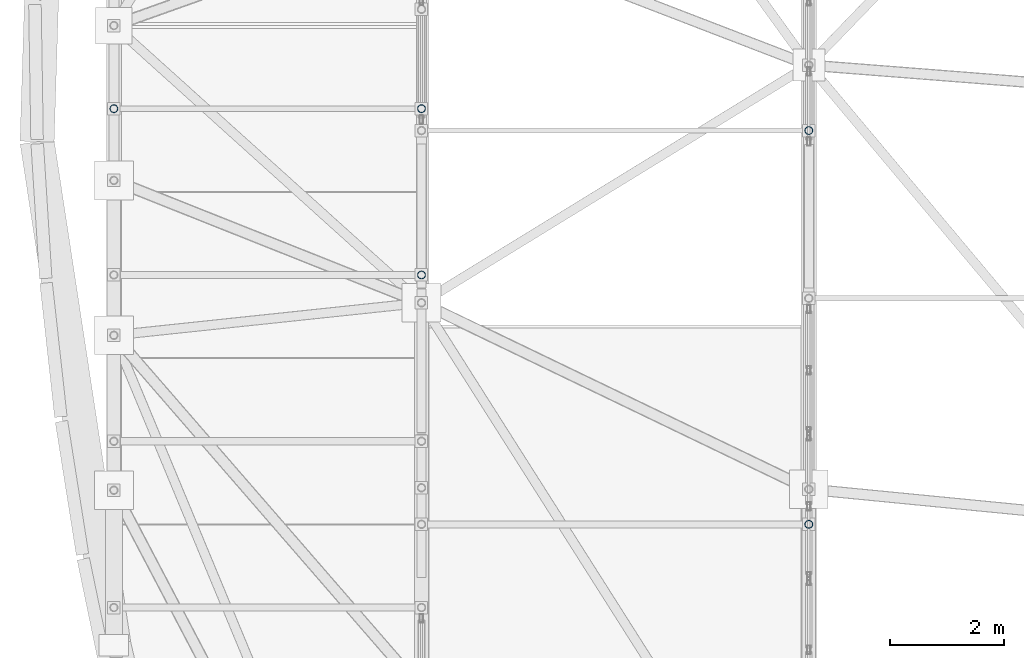
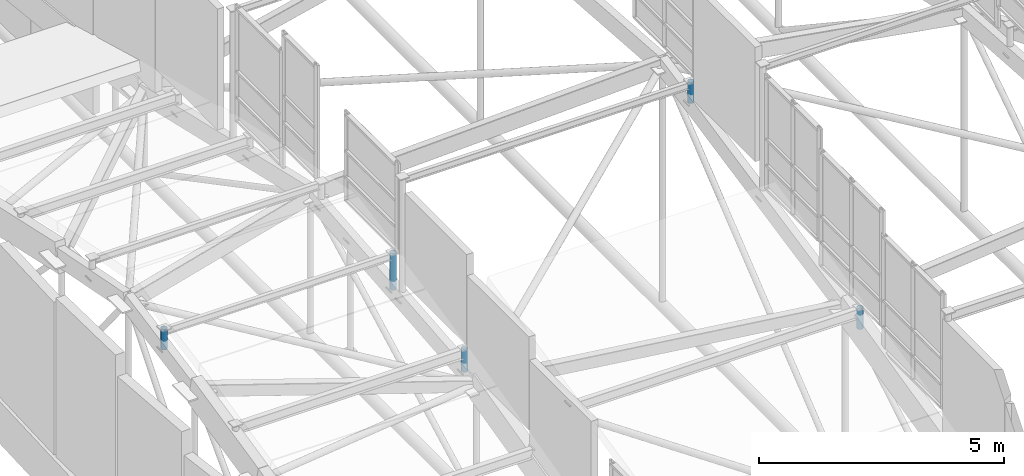
# One storey, part 130 of 188: 5 members.
"""IFC4 building model written with IfcOpenShell, lengths in metres."""

from ifc_helpers import new_model, si_unit, direction, frame, origin, origin_2d, place, context, subcontext, project, spatial, hollow_circle, extrude, material, material_profile, profile_set, type_object, element, save


model = new_model("IFC4")

# Units and contexts
model_context = context("Model", 3, precision=1e-05, world=origin(), true_north=direction((0.0, 1.0)))
body_context = subcontext(model_context, "Body", "Model", "MODEL_VIEW")
ifc_project = project(units=[si_unit("LENGTHUNIT", "METRE"), si_unit("AREAUNIT", "SQUARE_METRE"), si_unit("VOLUMEUNIT", "CUBIC_METRE"), si_unit("PLANEANGLEUNIT", "RADIAN"), si_unit("MASSUNIT", "GRAM", prefix="KILO")], contexts=[model_context])

# Site, building, storey
site_placement = place(None, origin())
site = spatial("IfcSite", under=ifc_project, at=site_placement, CompositionType="ELEMENT")
building_placement = place(site_placement, origin())
building = spatial("IfcBuilding", under=site, at=building_placement, Name="Kisaragi Civic Commons", CompositionType="ELEMENT")
storey_placement = place(building_placement, frame((0.0, 0.0, 9.60009765625)))
storey = spatial("IfcBuildingStorey", under=building, at=storey_placement, Name="L02", CompositionType="ELEMENT", Elevation=9.60009765625)

# Members
ifc_material = material(Name="Steel SN490 (SN490B)", Category="steel")
ifc_material_profile = material_profile(ifc_material, hollow_circle(Radius=0.06982421875, WallThickness=0.006103515625, at=origin_2d()), Name="CHS-139.8x6.0", Category="steel")
ifc_profile_set = profile_set([ifc_material_profile], Name="Steel SN490 (SN490B)")
member_type = type_object("IfcMemberType", Name="ST-H1", PredefinedType="STRUT", material=ifc_profile_set)
member_1_placement = place(storey_placement, frame((6.800048828125, 28.9365234375, 2.299072265625), z_axis=(0.0, 0.0, 1.0), x_axis=(1.0, 0.0, 0.0)))
element("IfcMember", 1, at=member_1_placement, inside=storey, type_object=member_type, Name="V1 clerestory monitor horizontal tie strut 1.1.3", PredefinedType="STRUT", context=body_context, shape_type="SweptSolid", body=[
    extrude(hollow_circle(Radius=0.06982421875, WallThickness=0.006103515625, at=origin_2d()), origin(), (0.0, 0.0, 1.0), 0.57373046875),
])
member_2_placement = place(storey_placement, frame((1.39990234375, 31.855712890625, 2.975830078125), z_axis=(0.0, 0.0, 1.0), x_axis=(1.0, 0.0, 0.0)))
element("IfcMember", 2, at=member_2_placement, inside=storey, type_object=member_type, Name="V1 clerestory monitor horizontal tie strut 1.0.4", PredefinedType="STRUT", context=body_context, shape_type="SweptSolid", body=[
    extrude(hollow_circle(Radius=0.06982421875, WallThickness=0.006103515625, at=origin_2d()), origin(), (0.0, 0.0, 1.0), 0.510986328125),
])
member_3_placement = place(storey_placement, frame((6.800048828125, 31.855712890625, 2.571533203125), z_axis=(0.0, 0.0, 1.0), x_axis=(1.0, 0.0, 0.0)))
element("IfcMember", 3, at=member_3_placement, inside=storey, type_object=member_type, Name="V1 clerestory monitor horizontal tie strut 1.1.4", PredefinedType="STRUT", context=body_context, shape_type="SweptSolid", body=[
    extrude(hollow_circle(Radius=0.06982421875, WallThickness=0.006103515625, at=origin_2d()), origin(), (0.0, 0.0, 1.0), 0.915283203125),
])
member_4_placement = place(storey_placement, frame((13.60009765625, 24.55859375, 3.640869140625), z_axis=(0.0, 0.0, 1.0), x_axis=(1.0, 0.0, 0.0)))
element("IfcMember", 4, at=member_4_placement, inside=storey, type_object=member_type, Name="V1 clerestory monitor horizontal tie strut 2.2.3", PredefinedType="STRUT", context=body_context, shape_type="SweptSolid", body=[
    extrude(hollow_circle(Radius=0.06982421875, WallThickness=0.006103515625, at=origin_2d()), origin(), (0.0, 0.0, 1.0), 0.51953125),
])
member_5_placement = place(storey_placement, frame((13.60009765625, 31.4716796875, 5.08251953125), z_axis=(0.0, 0.0, 1.0), x_axis=(1.0, 0.0, 0.0)))
element("IfcMember", 5, at=member_5_placement, inside=storey, type_object=member_type, Name="V1 clerestory monitor horizontal tie strut 2.2.4", PredefinedType="STRUT", context=body_context, shape_type="SweptSolid", body=[
    extrude(hollow_circle(Radius=0.06982421875, WallThickness=0.006103515625, at=origin_2d()), origin(), (0.0, 0.0, 1.0), 0.5224609375),
])

save(model, "model.ifc")
